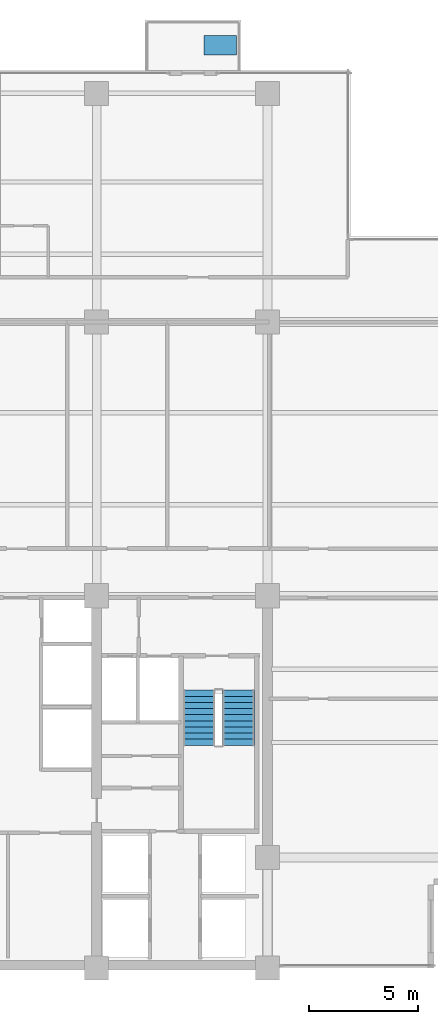
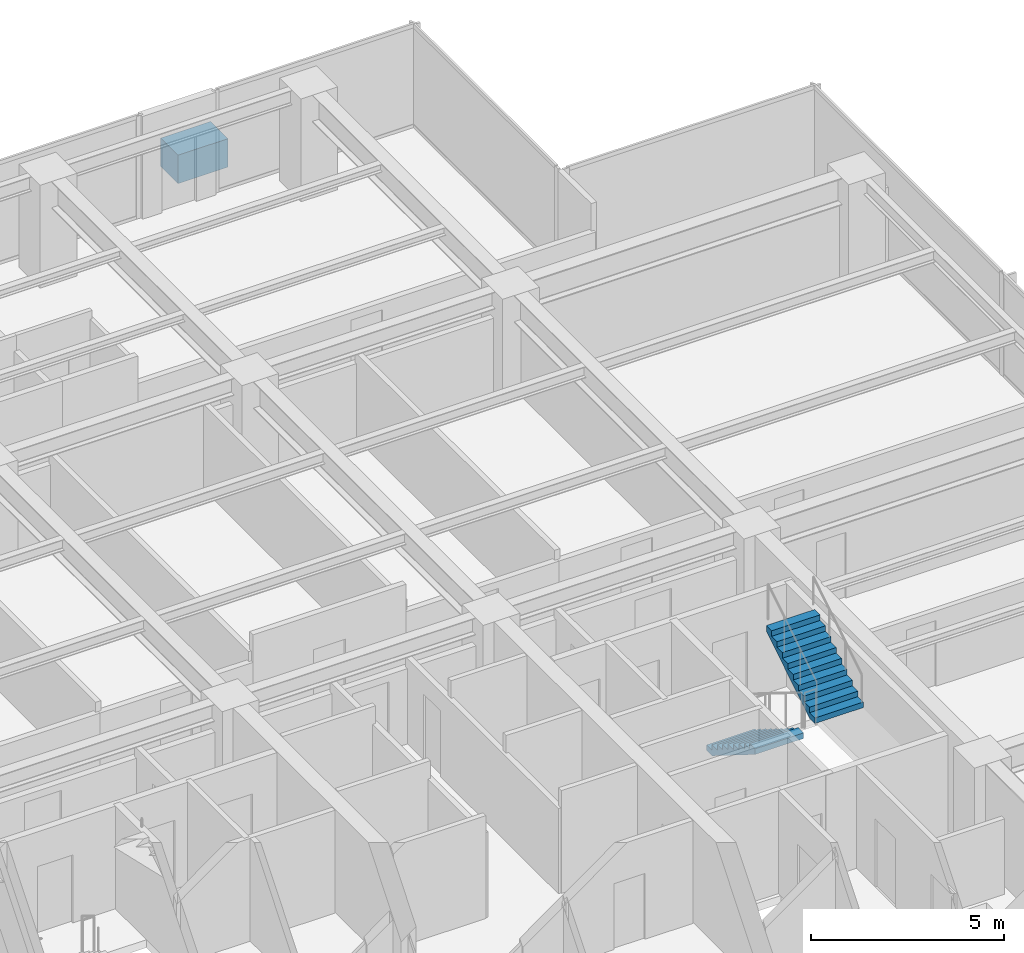
# One storey, part 10 of 15: 2 stair flights, 1 discrete accessory, 1 element without a shape of its own.
"""IFC4 building model written with IfcOpenShell, lengths in metres."""

from ifc_helpers import new_model, si_unit, direction, frame, origin, place, context, subcontext, project, spatial, polyline, outline, extrude, material, layer, layer_set, type_object, element, aggregate, save


model = new_model("IFC4")

# Units and contexts
model_context = context("Model", 3, precision=1e-05, world=origin(), true_north=direction((0.0, 1.0)))
body_context = subcontext(model_context, "Body", "Model", "MODEL_VIEW")
ifc_project = project(units=[si_unit("LENGTHUNIT", "METRE"), si_unit("AREAUNIT", "SQUARE_METRE"), si_unit("VOLUMEUNIT", "CUBIC_METRE"), si_unit("PLANEANGLEUNIT", "RADIAN"), si_unit("MASSUNIT", "GRAM", prefix="KILO")], contexts=[model_context])

# Site, building, storey
site_placement = place(None, origin())
site = spatial("IfcSite", under=ifc_project, at=site_placement, CompositionType="ELEMENT")
building_placement = place(site_placement, origin())
building = spatial("IfcBuilding", under=site, at=building_placement, Name="Qalmaran Belvedere Hotel", CompositionType="ELEMENT")
storey_placement = place(building_placement, frame((0.0, 0.0, 149.10009765625)))
storey = spatial("IfcBuildingStorey", under=building, at=storey_placement, Name="L37", CompositionType="ELEMENT", Elevation=149.10009765625)

# Stair, stair flights
ifc_material = material(Name="Concrete C40/50", Category="concrete")
stair_type = type_object("IfcStairType", Name="STR-ST-2-1450-R1750", PredefinedType="HALF_TURN_STAIR", material=ifc_material)
stair_placement = place(storey_placement, origin())
stair = element("IfcStair", 1, at=stair_placement, inside=storey, type_object=stair_type, Name="L37 East Core Exit Stair ST-2", PredefinedType="HALF_TURN_STAIR")
ifc_layer = layer(ifc_material, 0.14990234375, Name="Concrete C40/50")
ifc_layer_set = layer_set([ifc_layer], Name="Concrete C40/50")
stair_flight_type = type_object("IfcStairFlightType", Name="STF-ST-2-1450-R1750", PredefinedType="STRAIGHT", material=ifc_layer_set)
stair_flight_1_placement = place(storey_placement, frame((41.68505859375, 16.18994140625, 0.0), z_axis=(0.0, 0.0, 1.0), x_axis=(0.0, -1.0, 0.0)))
stair_flight_1 = element("IfcStairFlight", 2, at=stair_flight_1_placement, type_object=stair_flight_type, Name="ST-2 flight 1", NumberOfRisers=10, NumberOfTreads=9, PredefinedType="STRAIGHT", RiserHeight=0.175, TreadLength=0.28, context=body_context, shape_type="SweptSolid", body=[
    extrude(outline(polyline([(0.0, 0.0), (0.0, 0.175048828125), (0.280029296875, 0.175048828125), (0.280029296875, 0.35009765625), (0.56005859375, 0.35009765625), (0.56005859375, 0.52490234375), (0.840087890625, 0.52490234375), (0.840087890625, 0.699951171875), (1.1201171875, 0.699951171875), (1.1201171875, 0.875), (1.39990234375, 0.875), (1.39990234375, 1.050048828125), (1.679931640625, 1.050048828125), (1.679931640625, 1.22509765625), (1.9599609375, 1.22509765625), (1.9599609375, 1.39990234375), (2.239990234375, 1.39990234375), (2.239990234375, 1.574951171875), (2.52001953125, 1.574951171875), (2.52001953125, 1.75), (2.52001953125, 1.398193359375), (0.28271484375, 0.0), (0.0, 0.0)])), frame((0.0, 0.72509765625, 0.0), z_axis=(0.0, -1.0, 0.0), x_axis=(1.0, 0.0, 0.0)), (0.0, 0.0, 1.0), 1.449951171875),
])
stair_flight_2_placement = place(storey_placement, frame((43.47509765625, 13.669921875, 1.75), z_axis=(0.0, 0.0, 1.0), x_axis=(0.0, 1.0, 0.0)))
stair_flight_2 = element("IfcStairFlight", 3, at=stair_flight_2_placement, type_object=stair_flight_type, Name="ST-2 flight 2", NumberOfRisers=10, NumberOfTreads=9, PredefinedType="STRAIGHT", RiserHeight=0.175, TreadLength=0.28, context=body_context, shape_type="SweptSolid", body=[
    extrude(outline(polyline([(0.0, 0.0), (0.0, 0.175048828125), (0.280029296875, 0.175048828125), (0.280029296875, 0.35009765625), (0.56005859375, 0.35009765625), (0.56005859375, 0.52490234375), (0.840087890625, 0.52490234375), (0.840087890625, 0.699951171875), (1.1201171875, 0.699951171875), (1.1201171875, 0.875), (1.39990234375, 0.875), (1.39990234375, 1.050048828125), (1.679931640625, 1.050048828125), (1.679931640625, 1.22509765625), (1.9599609375, 1.22509765625), (1.9599609375, 1.39990234375), (2.239990234375, 1.39990234375), (2.239990234375, 1.574951171875), (2.52001953125, 1.574951171875), (2.52001953125, 1.75), (2.52001953125, 1.398193359375), (0.28271484375, 0.0), (0.0, 0.0)])), frame((0.0, 0.72509765625, 0.0), z_axis=(0.0, -1.0, 0.0), x_axis=(1.0, 0.0, 0.0)), (0.0, 0.0, 1.0), 1.449951171875),
])
aggregate(stair, [stair_flight_1, stair_flight_2])

# Discrete accessory
discrete_accessory_type = type_object("IfcDiscreteAccessoryType", Name="PLN-BAL-1500", PredefinedType="USERDEFINED", material=ifc_material)
discrete_accessory_placement = place(storey_placement, origin())
element("IfcDiscreteAccessory", 4, at=discrete_accessory_placement, inside=storey, type_object=discrete_accessory_type, Name="L37 Sky Tree Planter", ObjectType="PLANTER", PredefinedType="USERDEFINED", context=body_context, shape_type="SweptSolid", body=[
    extrude(outline(polyline([(41.89990234375, 45.199951171875), (43.39990234375, 45.199951171875), (43.39990234375, 46.10009765625), (41.89990234375, 46.10009765625), (41.89990234375, 45.199951171875)])), origin(), (0.0, 0.0, 1.0), 0.89990234375),
])

save(model, "model.ifc")
